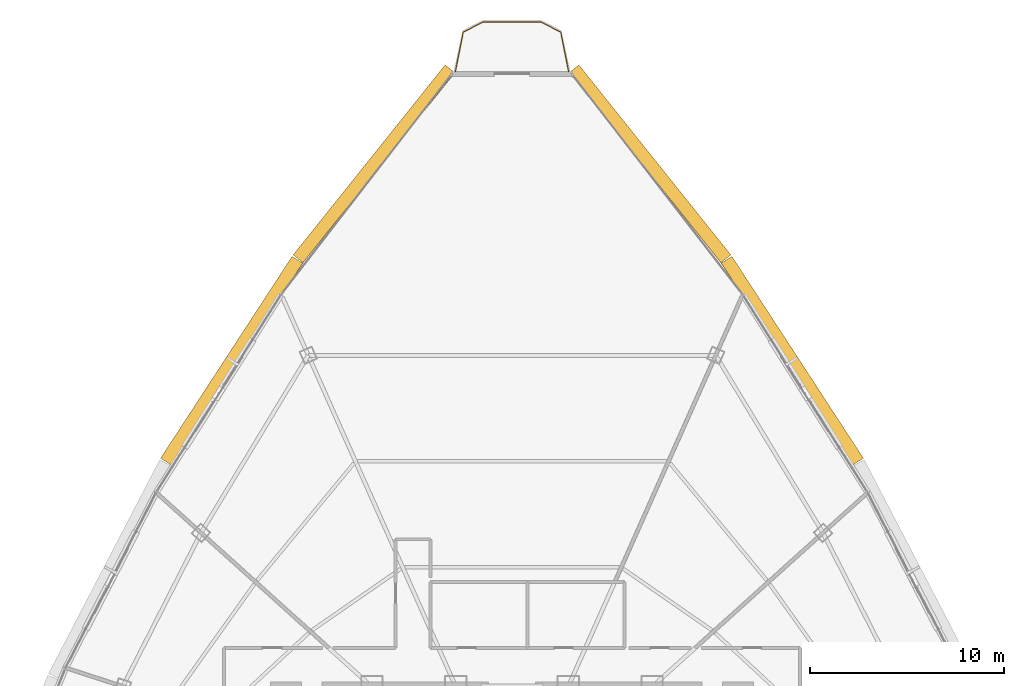
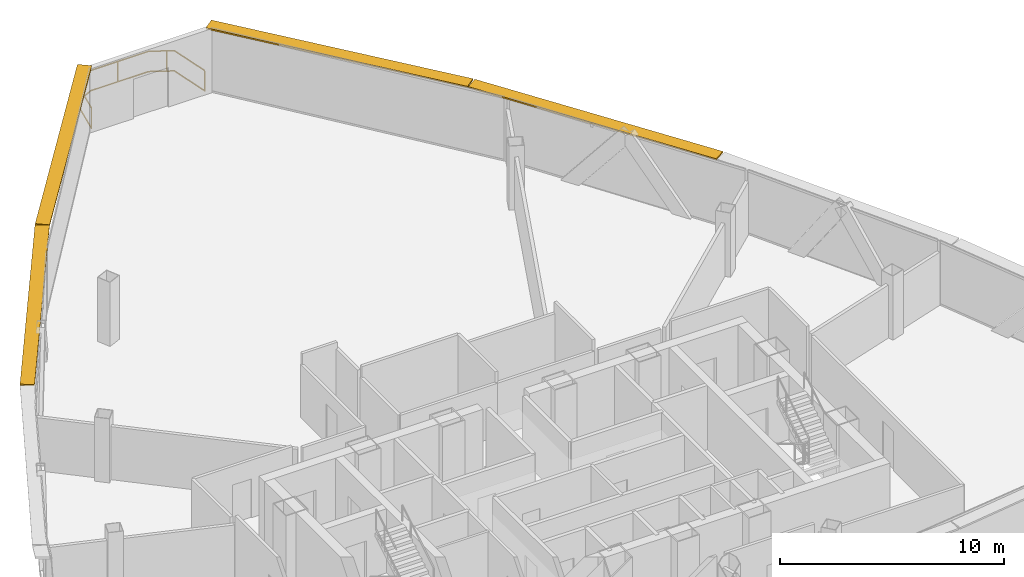
# One storey, part 26 of 26: 4 shading devices, 1 railing.
"""IFC4 building model written with IfcOpenShell, lengths in metres."""

from ifc_helpers import new_model, si_unit, direction, frame, origin, origin_2d, place, context, subcontext, project, spatial, rectangle, extrude, source, transform, mapped, material, layer, layer_set, type_object, element, save


model = new_model("IFC4")

# Units and contexts
model_context = context("Model", 3, precision=1e-05, world=origin(), true_north=direction((0.0, 1.0)))
body_context = subcontext(model_context, "Body", "Model", "MODEL_VIEW")
ifc_project = project(units=[si_unit("LENGTHUNIT", "METRE"), si_unit("AREAUNIT", "SQUARE_METRE"), si_unit("VOLUMEUNIT", "CUBIC_METRE"), si_unit("PLANEANGLEUNIT", "RADIAN"), si_unit("MASSUNIT", "GRAM", prefix="KILO"), si_unit("THERMODYNAMICTEMPERATUREUNIT", "KELVIN"), si_unit("POWERUNIT", "WATT")], contexts=[model_context])

# Site, building, storey
site_placement = place(None, origin())
site = spatial("IfcSite", under=ifc_project, at=site_placement, CompositionType="ELEMENT")
building_placement = place(site_placement, origin())
building = spatial("IfcBuilding", under=site, at=building_placement, Name="Yunzhuo Pagoda Commons", CompositionType="ELEMENT")
storey_placement = place(building_placement, frame((0.0, 0.0, 340.510009765625)))
storey = spatial("IfcBuildingStorey", under=building, at=storey_placement, Name="L85", CompositionType="ELEMENT", Elevation=340.510009765625)

# Railing
ifc_material = material(Name="Anodized aluminium 6063-T6", Category="aluminium")
railing_type = type_object("IfcRailingType", Name="RL-BAL1 Exterior Terrace & Balcony Balustrade 1150", PredefinedType="BALUSTRADE", material=ifc_material)
railing_placement = place(storey_placement, frame((50.91650390625, 71.9111328125, 0.0)))
element("IfcRailing", 1, at=railing_placement, inside=storey, type_object=railing_type, Name="L85 corner balcony balustrade V3", PredefinedType="BALUSTRADE", context=body_context, shape_type="SweptSolid", body=[
    extrude(rectangle(XDim=0.048095703125, YDim=0.048095703125, at=origin_2d()), frame((0.0, 0.0, 1.1259765625), z_axis=(-0.194314652384, 0.980939251875, 0.0), x_axis=(-0.980939251875, -0.194314652384, 0.0)), (0.0, 0.0, 1.0), 2.059326171875),
    extrude(rectangle(XDim=0.048095703125, YDim=0.048095703125, at=origin_2d()), frame((0.0, 0.0, 0.02392578125), z_axis=(-0.194314652384, 0.980939251875, 0.0), x_axis=(-0.980939251875, -0.194314652384, 0.0)), (0.0, 0.0, 1.0), 2.059326171875),
    extrude(rectangle(XDim=0.048095703125, YDim=0.048095703125, at=origin_2d()), frame((-0.400146484375, 2.02001953125, 1.1259765625), z_axis=(-0.886990324349, 0.461788008193, 0.0), x_axis=(-0.461788008193, -0.886990324349, 0.0)), (0.0, 0.0, 1.0), 1.147705078125),
    extrude(rectangle(XDim=0.048095703125, YDim=0.048095703125, at=origin_2d()), frame((-0.400146484375, 2.02001953125, 0.02392578125), z_axis=(-0.886990324349, 0.461788008193, 0.0), x_axis=(-0.461788008193, -0.886990324349, 0.0)), (0.0, 0.0, 1.0), 1.147705078125),
    extrude(rectangle(XDim=0.048095703125, YDim=0.048095703125, at=origin_2d()), frame((-1.418212890625, 2.550048828125, 1.1259765625), z_axis=(-1.0, 0.0, 0.0), x_axis=(0.0, -1.0, 0.0)), (0.0, 0.0, 1.0), 2.99658203125),
    extrude(rectangle(XDim=0.048095703125, YDim=0.048095703125, at=origin_2d()), frame((-1.418212890625, 2.550048828125, 0.02392578125), z_axis=(-1.0, 0.0, 0.0), x_axis=(0.0, -1.0, 0.0)), (0.0, 0.0, 1.0), 2.99658203125),
    extrude(rectangle(XDim=0.048095703125, YDim=0.048095703125, at=origin_2d()), frame((-4.414794921875, 2.550048828125, 1.1259765625), z_axis=(-0.886990324349, -0.461788008193, 0.0), x_axis=(0.461788008193, -0.886990324349, 0.0)), (0.0, 0.0, 1.0), 1.147705078125),
    extrude(rectangle(XDim=0.048095703125, YDim=0.048095703125, at=origin_2d()), frame((-4.414794921875, 2.550048828125, 0.02392578125), z_axis=(-0.886990324349, -0.461788008193, 0.0), x_axis=(0.461788008193, -0.886990324349, 0.0)), (0.0, 0.0, 1.0), 1.147705078125),
    extrude(rectangle(XDim=0.048095703125, YDim=0.048095703125, at=origin_2d()), frame((-5.432861328125, 2.02001953125, 1.1259765625), z_axis=(-0.194314652384, -0.980939251875, 0.0), x_axis=(0.980939251875, -0.194314652384, 0.0)), (0.0, 0.0, 1.0), 2.059326171875),
    extrude(rectangle(XDim=0.048095703125, YDim=0.048095703125, at=origin_2d()), frame((-5.432861328125, 2.02001953125, 0.02392578125), z_axis=(-0.194314652384, -0.980939251875, 0.0), x_axis=(0.980939251875, -0.194314652384, 0.0)), (0.0, 0.0, 1.0), 2.059326171875),
    extrude(rectangle(XDim=0.0419921875, YDim=0.0419921875, at=origin_2d()), origin(), (0.0, 0.0, 1.0), 1.101806640625),
    extrude(rectangle(XDim=0.0419921875, YDim=0.0419921875, at=origin_2d()), frame((-0.702392578125, 2.17724609375, 0.0)), (0.0, 0.0, 1.0), 1.101806640625),
    extrude(rectangle(XDim=0.0419921875, YDim=0.0419921875, at=origin_2d()), frame((-3.01123046875, 2.550048828125, 0.0)), (0.0, 0.0, 1.0), 1.101806640625),
    extrude(rectangle(XDim=0.0419921875, YDim=0.0419921875, at=origin_2d()), frame((-5.298583984375, 2.08984375, 0.0)), (0.0, 0.0, 1.0), 1.101806640625),
    extrude(rectangle(XDim=0.0419921875, YDim=0.0419921875, at=origin_2d()), frame((-5.8330078125, 0.0, 0.0)), (0.0, 0.0, 1.0), 1.101806640625),
])

# Shading devices
ifc_layer = layer(ifc_material, 0.080078125)
ifc_layer_set = layer_set([ifc_layer], Name="Anodized aluminium 6063-T6")
shading_device_type = type_object("IfcShadingDeviceType", Name="SH-SUN1 Pagoda Horizontal Sunshade Eave 650", PredefinedType="USERDEFINED", material=ifc_layer_set)
shared_shape_1 = source(origin(), body_context, "Body", "SweptSolid", [
    extrude(rectangle(XDim=12.415283203125, YDim=0.64990234375, at=origin_2d()), origin(), (0.0, 0.0, 1.0), 0.080078125),
])
for number, where, z_axis, x_axis, name in (
    (2, (62.449951171875, 57.003173828125, 3.409912109375), (0.0, 0.0, 1.0), (-0.545853380833, 0.837880711458, 0.0), "L85 horizontal pagoda sunshade eave F2.3"),
    (3, (33.550048828125, 57.003173828125, 3.409912109375), (0.0, 0.0, 1.0), (-0.545853380833, -0.837880711458, 0.0), "L85 horizontal pagoda sunshade eave F3.2"),
):
    element("IfcShadingDevice", number, at=place(storey_placement, frame(where, z_axis=z_axis, x_axis=x_axis)), inside=storey, type_object=shading_device_type, Name=name, ObjectType="SUNSHADE", PredefinedType="USERDEFINED", context=body_context, shape_type="MappedRepresentation", body=[
        mapped(shared_shape_1, transform((0.0, 0.0, 0.0), scale=1.0)),
    ])
shared_shape_2 = source(origin(), body_context, "Body", "SweptSolid", [
    extrude(rectangle(XDim=12.53466796875, YDim=0.64990234375, at=origin_2d()), origin(), (0.0, 0.0, 1.0), 0.080078125),
])
for number, where, z_axis, x_axis, name in (
    (4, (55.1103515625, 67.150634765625, 3.409912109375), (0.0, 0.0, 1.0), (-0.624520471688, 0.781008438138, 0.0), "L85 horizontal pagoda sunshade eave F2.4"),
    (5, (40.8896484375, 67.150634765625, 3.409912109375), (0.0, 0.0, 1.0), (-0.624520471688, -0.781008438138, 0.0), "L85 horizontal pagoda sunshade eave F3.1"),
):
    element("IfcShadingDevice", number, at=place(storey_placement, frame(where, z_axis=z_axis, x_axis=x_axis)), inside=storey, type_object=shading_device_type, Name=name, ObjectType="SUNSHADE", PredefinedType="USERDEFINED", context=body_context, shape_type="MappedRepresentation", body=[
        mapped(shared_shape_2, transform((0.0, 0.0, 0.0), scale=1.0)),
    ])

save(model, "model.ifc")
